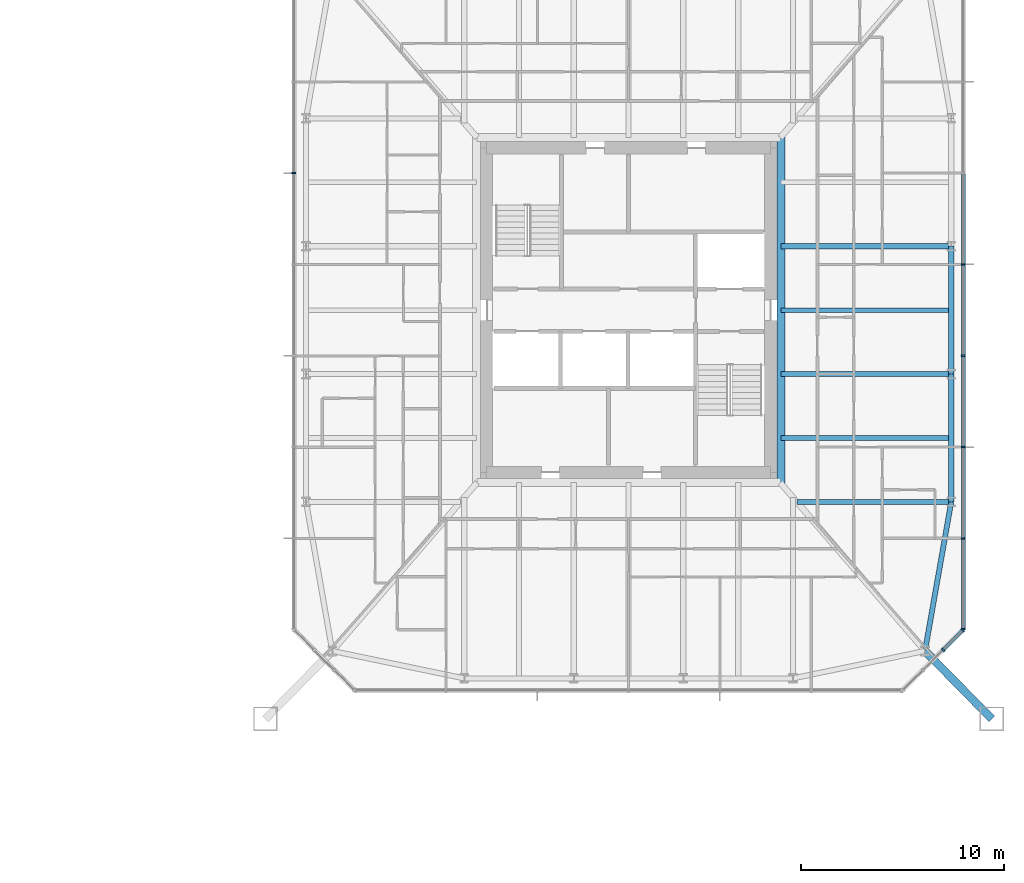
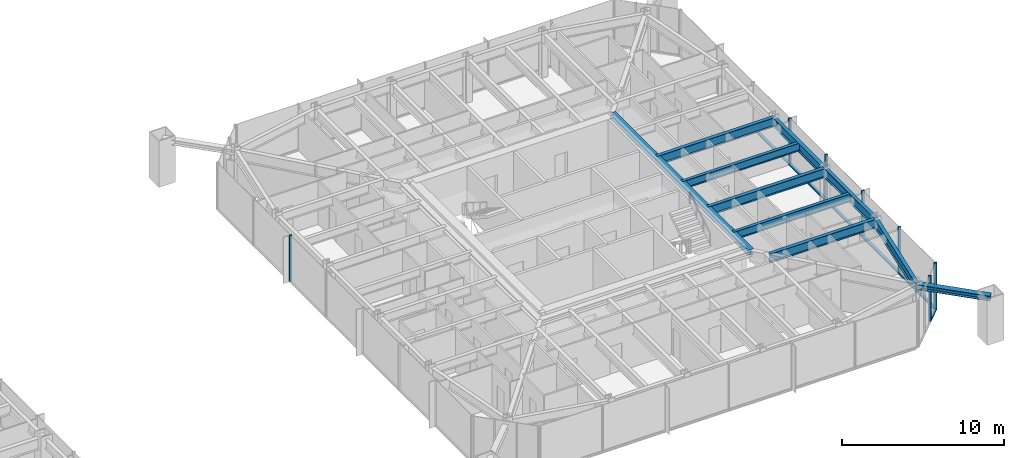
# One storey, part 9 of 26: 15 members, 9 beams, 3 elements without a shape of their own.
"""IFC4 building model written with IfcOpenShell, lengths in metres."""

import ifcopenshell
import ifcopenshell.guid

model = None  # the IFC model being written
_history = None  # IfcOwnerHistory: only IFC2X3 demands one
_inside = {}  # id of a spatial element -> (the spatial element, [elements in it])
_under = {}  # id of a project, library or spatial element -> (it, [spatial elements below it])
_declared = {}  # id of a project -> (the project, [libraries it declares])
_typed = {}  # id of a type object -> (the type object, [elements of that type])
_made_of = {}  # id of a material, layer set ... -> (it, [elements and type objects made of it])


def new_model(schema):
    """Start an empty IFC model of exactly this schema.

    Asked for "IFC4X3", IfcOpenShell would pick the latest addendum, in which some entities
    have other attributes; the version numbers below select the first issue.
    IFC2X3 requires an IfcOwnerHistory on every rooted entity: one is made here for all.
    """
    global model, _history
    if schema == "IFC4X3":
        model = ifcopenshell.file(schema_version=(4, 3, 0, 0))
    else:
        model = ifcopenshell.file(schema=schema)
    _inside.clear()
    _under.clear()
    _declared.clear()
    _typed.clear()
    _made_of.clear()
    _history = None
    if model.schema == "IFC2X3":
        org = make("IfcOrganization", Name="unknown")
        user = make(
            "IfcPersonAndOrganization",
            ThePerson=make("IfcPerson", FamilyName="unknown"),
            TheOrganization=org,
        )
        app = make(
            "IfcApplication",
            ApplicationDeveloper=org,
            Version="unknown",
            ApplicationFullName="unknown",
            ApplicationIdentifier="unknown",
        )
        _history = make(
            "IfcOwnerHistory",
            OwningUser=user,
            OwningApplication=app,
            ChangeAction="ADDED",
            CreationDate=0,
        )
    return model


def make(cls, **values):
    """One entity of the class cls with the attributes given. An attribute that is None is left unset."""
    return model.create_entity(
        cls, **{name: value for name, value in values.items() if value is not None}
    )


def rooted(cls, **values):
    """An entity with a GlobalId (a new one), such as an element, a storey or a relation."""
    return make(cls, GlobalId=ifcopenshell.guid.new(), OwnerHistory=_history, **values)


def si_unit(unit_type, name, prefix=None):
    """IfcSIUnit, for example si_unit("LENGTHUNIT", "METRE", prefix="MILLI")."""
    return make("IfcSIUnit", UnitType=unit_type, Prefix=prefix, Name=name)


def assignment(units):
    """IfcUnitAssignment: the units of a project."""
    return None if units is None else make("IfcUnitAssignment", Units=units)


def point(xyz):
    """IfcCartesianPoint."""
    return None if xyz is None else make("IfcCartesianPoint", Coordinates=xyz)


def direction(xyz):
    """IfcDirection."""
    return None if xyz is None else make("IfcDirection", DirectionRatios=xyz)


def frame(location, z_axis=None, x_axis=None):
    """IfcAxis2Placement3D, a coordinate frame: its origin and axes. An axis left out is left unset."""
    return make(
        "IfcAxis2Placement3D",
        Location=point(location),
        Axis=direction(z_axis),
        RefDirection=direction(x_axis),
    )


def frame_2d(location, x_axis=None):
    """IfcAxis2Placement2D, a coordinate frame in the plane: its origin and x axis."""
    return make(
        "IfcAxis2Placement2D", Location=point(location), RefDirection=direction(x_axis)
    )


def origin():
    """The frame at (0, 0, 0) with its axes left unset."""
    return frame((0.0, 0.0, 0.0))


def origin_2d():
    """The frame at (0, 0) in the plane with its x axis left unset."""
    return frame_2d((0.0, 0.0))


def place(relative_to, where):
    """IfcLocalPlacement: puts the frame where relative to a parent placement (None: the world)."""
    return make(
        "IfcLocalPlacement", PlacementRelTo=relative_to, RelativePlacement=where
    )


def context(
    kind, dimensions, precision=None, world=None, true_north=None, identifier=None
):
    """IfcGeometricRepresentationContext, for example the 3D "Model" context."""
    return make(
        "IfcGeometricRepresentationContext",
        ContextIdentifier=identifier,
        ContextType=kind,
        CoordinateSpaceDimension=dimensions,
        Precision=precision,
        WorldCoordinateSystem=world,
        TrueNorth=true_north,
    )


def subcontext(parent, identifier, kind, view, scale=None):
    """IfcGeometricRepresentationSubContext, for example "Body" below "Model"."""
    return make(
        "IfcGeometricRepresentationSubContext",
        ContextIdentifier=identifier,
        ContextType=kind,
        ParentContext=parent,
        TargetScale=scale,
        TargetView=view,
    )


def project(units=None, contexts=None):
    """IfcProject with its units and contexts."""
    return rooted(
        "IfcProject",
        Name="project",
        RepresentationContexts=contexts,
        UnitsInContext=assignment(units),
    )


def spatial(cls, under=None, at=None, **own):
    """A site, building, storey or space (cls), placed at a placement, below another one or the project."""
    s = rooted(cls, ObjectPlacement=at, **own)
    if under is not None:
        _under.setdefault(under.id(), (under, []))[1].append(s)
    return s


def profile(cls, at=None, kind="AREA", **sizes):
    """A parametric profile (cls). Its sizes go by their IFC names, for example OverallWidth=200.0."""
    return make(cls, ProfileType=kind, Position=at, **sizes)


def rectangle(**sizes):
    """IfcRectangleProfileDef."""
    return profile("IfcRectangleProfileDef", **sizes)


def i_section(**sizes):
    """IfcIShapeProfileDef."""
    return profile("IfcIShapeProfileDef", **sizes)


def extrude(swept, where, along, depth):
    """IfcExtrudedAreaSolid: the profile swept, set in the frame where, extruded along a direction by depth."""
    return make(
        "IfcExtrudedAreaSolid",
        SweptArea=swept,
        Position=where,
        ExtrudedDirection=direction(along),
        Depth=depth,
    )


def shape(context_of_items, identifier, shape_type, items):
    """IfcShapeRepresentation: the items that make up one representation, for example the "Body"."""
    return make(
        "IfcShapeRepresentation",
        ContextOfItems=context_of_items,
        RepresentationIdentifier=identifier,
        RepresentationType=shape_type,
        Items=items,
    )


def material(Name=None, Category=None):
    """IfcMaterial."""
    return make("IfcMaterial", Name=Name, Category=Category)


def material_profile(
    of_material, cross_section, Name=None, Category=None, Priority=None
):
    """IfcMaterialProfile: a cross section and its material."""
    return make(
        "IfcMaterialProfile",
        Name=Name,
        Material=of_material,
        Profile=cross_section,
        Priority=Priority,
        Category=Category,
    )


def profile_set(profiles, Name=None, composite=None):
    """IfcMaterialProfileSet."""
    return make(
        "IfcMaterialProfileSet",
        Name=Name,
        MaterialProfiles=profiles,
        CompositeProfile=composite,
    )


def made_of(thing, what):
    """Note that an element or type object is made of a material, layer set ...; save() writes the relation."""
    if what is not None:
        _made_of.setdefault(what.id(), (what, []))[1].append(thing)
    return thing


def type_object(cls, material=None, **own):
    """A type object (cls), such as IfcWallType, which elements share."""
    return made_of(rooted(cls, **own), material)


def element(
    cls,
    number,
    at=None,
    inside=None,
    cuts=None,
    type_object=None,
    material=None,
    context=None,
    identifier="Body",
    shape_type=None,
    held_by="IfcProductDefinitionShape",
    body=None,
    shapes=None,
    **own,
):
    """One element of the class cls, such as IfcWall. Its Tag is "e" and its number.

    at: its placement. inside: the storey or other place that contains it. cuts: it is an
    opening in that element (IfcRelVoidsElement). A single representation is given by context,
    identifier, shape_type and body (its items); several are given by shapes. held_by: the class
    of the entity that holds the representations. save() writes the other relations.
    """
    e = rooted(cls, Tag="e%d" % number, ObjectPlacement=at, **own)
    if body is not None:
        shapes = [shape(context, identifier, shape_type, body)]
    if shapes is not None:
        e.Representation = make(held_by, Representations=shapes)
    if inside is not None:
        _inside.setdefault(inside.id(), (inside, []))[1].append(e)
    if cuts is not None:
        rooted(
            "IfcRelVoidsElement", RelatingBuildingElement=cuts, RelatedOpeningElement=e
        )
    if type_object is not None:
        _typed.setdefault(type_object.id(), (type_object, []))[1].append(e)
    return made_of(e, material)


def aggregate(whole, parts):
    """IfcRelAggregates: a whole, such as a stair, and the parts it consists of."""
    return rooted("IfcRelAggregates", RelatingObject=whole, RelatedObjects=parts)


def save(model, path):
    """Write the relations noted so far, then the file.

    IfcRelAggregates (storeys below a building ...), IfcRelContainedInSpatialStructure (elements
    in a storey), IfcRelDefinesByType, IfcRelAssociatesMaterial and IfcRelDeclares: one each for
    every whole, place, type object, material and project.
    """
    for whole, parts in _under.values():
        aggregate(whole, parts)
    for where, things in _inside.values():
        rooted(
            "IfcRelContainedInSpatialStructure",
            RelatedElements=things,
            RelatingStructure=where,
        )
    for kind, things in _typed.values():
        rooted("IfcRelDefinesByType", RelatedObjects=things, RelatingType=kind)
    for what, things in _made_of.values():
        rooted("IfcRelAssociatesMaterial", RelatedObjects=things, RelatingMaterial=what)
    for by, libraries in _declared.values():
        rooted("IfcRelDeclares", RelatingContext=by, RelatedDefinitions=libraries)
    model.write(path)


model = new_model("IFC4")

# Units and contexts
model_context = context("Model", 3, precision=1e-05, world=origin(), true_north=direction((0.0, 1.0)))
body_context = subcontext(model_context, "Body", "Model", "MODEL_VIEW")
ifc_project = project(units=[si_unit("LENGTHUNIT", "METRE"), si_unit("AREAUNIT", "SQUARE_METRE"), si_unit("VOLUMEUNIT", "CUBIC_METRE"), si_unit("PLANEANGLEUNIT", "RADIAN"), si_unit("MASSUNIT", "GRAM", prefix="KILO")], contexts=[model_context])

# Site, building, storey
site_placement = place(None, origin())
site = spatial("IfcSite", under=ifc_project, at=site_placement, CompositionType="ELEMENT")
building_placement = place(site_placement, origin())
building = spatial("IfcBuilding", under=site, at=building_placement, Name="Iwan Alto Co-Living Towers", CompositionType="ELEMENT")
storey_placement = place(building_placement, frame((0.0, 0.0, 50.0)))
storey = spatial("IfcBuildingStorey", under=building, at=storey_placement, Name="L13", CompositionType="ELEMENT", Elevation=50.0)

# Curtain wall, members
ifc_material_1 = material(Name="Bronze aluminium unitised frame", Category="aluminium")
curtain_wall_type_1 = type_object("IfcCurtainWallType", Name="CURTAIN WALL CW-C", PredefinedType="NOTDEFINED", material=ifc_material_1)
curtain_wall_1_placement = place(storey_placement, origin())
curtain_wall_1 = element("IfcCurtainWall", 1, at=curtain_wall_1_placement, inside=storey, type_object=curtain_wall_type_1, Name="T2 curtain wall E L13", PredefinedType="NOTDEFINED")
ifc_material_2 = material(Name="Aluminium 6063-T6 bronze anodised", Category="aluminium")
ifc_material_profile_1 = material_profile(ifc_material_2, rectangle(XDim=0.199951171875, YDim=0.080078125, at=origin_2d()), Name="AL 80X200")
ifc_profile_set_1 = profile_set([ifc_material_profile_1], Name="Aluminium 6063-T6 bronze anodised")
member_type_1 = type_object("IfcMemberType", Name="CW-C MULLION 80X200", PredefinedType="MULLION", material=ifc_profile_set_1)
member_1_placement = place(storey_placement, frame((79.5, -15.7099609375, 0.0), z_axis=(0.0, 0.0, 1.0), x_axis=(-1.0, 0.0, 0.0)))
member_1 = element("IfcMember", 2, at=member_1_placement, type_object=member_type_1, Name="CW-C mullion 1", PredefinedType="MULLION", context=body_context, shape_type="SweptSolid", body=[
    extrude(rectangle(XDim=0.199951171875, YDim=0.080078125, at=origin_2d()), origin(), (0.0, 0.0, 1.0), 3.5),
])
member_2_placement = place(storey_placement, frame((79.5, -11.25, 0.0), z_axis=(0.0, 0.0, 1.0), x_axis=(-1.0, 0.0, 0.0)))
member_2 = element("IfcMember", 3, at=member_2_placement, type_object=member_type_1, Name="CW-C mullion 2", PredefinedType="MULLION", context=body_context, shape_type="SweptSolid", body=[
    extrude(rectangle(XDim=0.199951171875, YDim=0.080078125, at=origin_2d()), origin(), (0.0, 0.0, 1.0), 3.5),
])
member_3_placement = place(storey_placement, frame((79.5, -6.75, 0.0), z_axis=(0.0, 0.0, 1.0), x_axis=(-1.0, 0.0, 0.0)))
member_3 = element("IfcMember", 4, at=member_3_placement, type_object=member_type_1, Name="CW-C mullion 3", PredefinedType="MULLION", context=body_context, shape_type="SweptSolid", body=[
    extrude(rectangle(XDim=0.199951171875, YDim=0.080078125, at=origin_2d()), origin(), (0.0, 0.0, 1.0), 3.5),
])
member_4_placement = place(storey_placement, frame((79.5, -2.25, 0.0), z_axis=(0.0, 0.0, 1.0), x_axis=(-1.0, 0.0, 0.0)))
member_4 = element("IfcMember", 5, at=member_4_placement, type_object=member_type_1, Name="CW-C mullion 4", PredefinedType="MULLION", context=body_context, shape_type="SweptSolid", body=[
    extrude(rectangle(XDim=0.199951171875, YDim=0.080078125, at=origin_2d()), origin(), (0.0, 0.0, 1.0), 3.5),
])
member_5_placement = place(storey_placement, frame((79.5, 2.25, 0.0), z_axis=(0.0, 0.0, 1.0), x_axis=(-1.0, 0.0, 0.0)))
member_5 = element("IfcMember", 6, at=member_5_placement, type_object=member_type_1, Name="CW-C mullion 5", PredefinedType="MULLION", context=body_context, shape_type="SweptSolid", body=[
    extrude(rectangle(XDim=0.199951171875, YDim=0.080078125, at=origin_2d()), origin(), (0.0, 0.0, 1.0), 3.5),
])

# Curtain wall, member
curtain_wall_2_placement = place(storey_placement, origin())
curtain_wall_2 = element("IfcCurtainWall", 7, at=curtain_wall_2_placement, inside=storey, type_object=curtain_wall_type_1, Name="T2 curtain wall W L13", PredefinedType="NOTDEFINED")
member_6_placement = place(storey_placement, frame((46.5, 6.75, 0.0), z_axis=(0.0, 0.0, 1.0), x_axis=(1.0, 0.0, 0.0)))
member_6 = element("IfcMember", 8, at=member_6_placement, type_object=member_type_1, Name="CW-C mullion 3", PredefinedType="MULLION", context=body_context, shape_type="SweptSolid", body=[
    extrude(rectangle(XDim=0.199951171875, YDim=0.080078125, at=origin_2d()), origin(), (0.0, 0.0, 1.0), 3.5),
])
aggregate(curtain_wall_2, [member_6])

# Member
ifc_material_3 = material(Name="Aluminium 6063-T6 bronze anodised", Category="aluminium")
ifc_material_profile_2 = material_profile(ifc_material_3, rectangle(XDim=0.199951171875, YDim=0.10009765625, at=origin_2d()), Name="AL 200X100")
ifc_profile_set_2 = profile_set([ifc_material_profile_2], Name="Aluminium 6063-T6 bronze anodised")
member_type_2 = type_object("IfcMemberType", Name="CW-C TRANSOM 200X100", PredefinedType="USERDEFINED", material=ifc_profile_set_2)
member_7_placement = place(storey_placement, frame((79.5, -15.669921875, 0.050048828125), z_axis=(0.0, 1.0, 0.0), x_axis=(-1.0, 0.0, 0.0)))
member_7 = element("IfcMember", 9, at=member_7_placement, type_object=member_type_2, Name="CW-C transom 1.1", ObjectType="TRANSOM", PredefinedType="USERDEFINED", context=body_context, shape_type="SweptSolid", body=[
    extrude(rectangle(XDim=0.199951171875, YDim=0.10009765625, at=origin_2d()), origin(), (0.0, 0.0, 1.0), 4.3798828125),
])

member_8_placement = place(storey_placement, frame((79.5, -11.2099609375, 0.050048828125), z_axis=(0.0, 1.0, 0.0), x_axis=(-1.0, 0.0, 0.0)))
member_8 = element("IfcMember", 10, at=member_8_placement, type_object=member_type_2, Name="CW-C transom 2.1", ObjectType="TRANSOM", PredefinedType="USERDEFINED", context=body_context, shape_type="SweptSolid", body=[
    extrude(rectangle(XDim=0.199951171875, YDim=0.10009765625, at=origin_2d()), origin(), (0.0, 0.0, 1.0), 4.419921875),
])

member_9_placement = place(storey_placement, frame((79.5, -6.7099609375, 0.050048828125), z_axis=(0.0, 1.0, 0.0), x_axis=(-1.0, 0.0, 0.0)))
member_9 = element("IfcMember", 11, at=member_9_placement, type_object=member_type_2, Name="CW-C transom 3.1", ObjectType="TRANSOM", PredefinedType="USERDEFINED", context=body_context, shape_type="SweptSolid", body=[
    extrude(rectangle(XDim=0.199951171875, YDim=0.10009765625, at=origin_2d()), origin(), (0.0, 0.0, 1.0), 4.419921875),
])

member_10_placement = place(storey_placement, frame((79.5, -2.2099609375, 0.050048828125), z_axis=(0.0, 1.0, 0.0), x_axis=(-1.0, 0.0, 0.0)))
member_10 = element("IfcMember", 12, at=member_10_placement, type_object=member_type_2, Name="CW-C transom 4.1", ObjectType="TRANSOM", PredefinedType="USERDEFINED", context=body_context, shape_type="SweptSolid", body=[
    extrude(rectangle(XDim=0.199951171875, YDim=0.10009765625, at=origin_2d()), origin(), (0.0, 0.0, 1.0), 4.419921875),
])

member_11_placement = place(storey_placement, frame((79.5, 2.2900390625, 0.050048828125), z_axis=(0.0, 1.0, 0.0), x_axis=(-1.0, 0.0, 0.0)))
member_11 = element("IfcMember", 13, at=member_11_placement, type_object=member_type_2, Name="CW-C transom 5.1", ObjectType="TRANSOM", PredefinedType="USERDEFINED", context=body_context, shape_type="SweptSolid", body=[
    extrude(rectangle(XDim=0.199951171875, YDim=0.10009765625, at=origin_2d()), origin(), (0.0, 0.0, 1.0), 4.419921875),
])

aggregate(curtain_wall_1, [member_1, member_2, member_3, member_4, member_5, member_7, member_8, member_9, member_10, member_11])

# Curtain wall, members
ifc_material_4 = material(Name="Bronze aluminium unitised frame", Category="aluminium")
curtain_wall_type_2 = type_object("IfcCurtainWallType", Name="CURTAIN WALL CW-D", PredefinedType="NOTDEFINED", material=ifc_material_4)
curtain_wall_3_placement = place(storey_placement, origin())
curtain_wall_3 = element("IfcCurtainWall", 14, at=curtain_wall_3_placement, inside=storey, type_object=curtain_wall_type_2, Name="T2 chamfer curtain wall SE L13", PredefinedType="NOTDEFINED")
ifc_material_5 = material(Name="Aluminium 6063-T6 bronze anodised", Category="aluminium")
ifc_material_profile_3 = material_profile(ifc_material_5, rectangle(XDim=0.199951171875, YDim=0.080078125, at=origin_2d()), Name="AL 80X200")
ifc_profile_set_3 = profile_set([ifc_material_profile_3], Name="Aluminium 6063-T6 bronze anodised")
member_type_3 = type_object("IfcMemberType", Name="CW-D MULLION 80X200", PredefinedType="MULLION", material=ifc_profile_set_3)
member_12_placement = place(storey_placement, frame((78.5, -16.75, 0.0), z_axis=(0.0, 0.0, 1.0), x_axis=(-0.707106781187, 0.707106781187, 0.0)))
member_12 = element("IfcMember", 15, at=member_12_placement, type_object=member_type_3, Name="CW-D mullion 3", PredefinedType="MULLION", context=body_context, shape_type="SweptSolid", body=[
    extrude(rectangle(XDim=0.199951171875, YDim=0.080078125, at=origin_2d()), origin(), (0.0, 0.0, 1.0), 3.5),
])
member_13_placement = place(storey_placement, frame((79.4716796875, -15.7783203125, 0.0), z_axis=(0.0, 0.0, 1.0), x_axis=(-0.707106781187, 0.707106781187, 0.0)))
member_13 = element("IfcMember", 16, at=member_13_placement, type_object=member_type_3, Name="CW-D mullion 4", PredefinedType="MULLION", context=body_context, shape_type="SweptSolid", body=[
    extrude(rectangle(XDim=0.199951171875, YDim=0.080078125, at=origin_2d()), origin(), (0.0, 0.0, 1.0), 3.5),
])
ifc_material_6 = material(Name="Aluminium 6063-T6 bronze anodised", Category="aluminium")
ifc_material_profile_4 = material_profile(ifc_material_6, rectangle(XDim=0.199951171875, YDim=0.10009765625, at=origin_2d()), Name="AL 200X100")
ifc_profile_set_4 = profile_set([ifc_material_profile_4], Name="Aluminium 6063-T6 bronze anodised")
member_type_4 = type_object("IfcMemberType", Name="CW-D TRANSOM 200X100", PredefinedType="USERDEFINED", material=ifc_profile_set_4)
member_14_placement = place(storey_placement, frame((78.5283203125, -16.7216796875, 0.050048828125), z_axis=(0.707106781187, 0.707106781187, 0.0), x_axis=(-0.707106781187, 0.707106781187, 0.0)))
member_14 = element("IfcMember", 17, at=member_14_placement, type_object=member_type_4, Name="CW-D transom 3.1", ObjectType="TRANSOM", PredefinedType="USERDEFINED", context=body_context, shape_type="SweptSolid", body=[
    extrude(rectangle(XDim=0.199951171875, YDim=0.10009765625, at=origin_2d()), origin(), (0.0, 0.0, 1.0), 1.2939453125),
])
aggregate(curtain_wall_3, [member_12, member_13, member_14])

# Beams
ifc_material_7 = material(Name="Steel ASTM A992 Gr 50", Category="steel")
ifc_material_profile_5 = material_profile(ifc_material_7, i_section(OverallWidth=0.40380859375, OverallDepth=0.406494140625, WebThickness=0.027099609375, FlangeThickness=0.043701171875, at=origin_2d()), Name="W14X233")
ifc_profile_set_5 = profile_set([ifc_material_profile_5], Name="Steel ASTM A992 Gr 50")
beam_type_1 = type_object("IfcBeamType", Name="T2 CORE LEDGER BEAM W14X233", PredefinedType="BEAM", material=ifc_profile_set_5)
beam_1_placement = place(storey_placement, frame((70.501953125, -8.534912109375, 3.06689453125), z_axis=(0.0, 1.0, 0.0), x_axis=(-1.0, 0.0, 0.0)))
element("IfcBeam", 18, at=beam_1_placement, inside=storey, type_object=beam_type_1, Name="T2 core ledger beam E L14", PredefinedType="BEAM", context=body_context, shape_type="SweptSolid", body=[
    extrude(i_section(OverallWidth=0.40380859375, OverallDepth=0.406494140625, WebThickness=0.027099609375, FlangeThickness=0.043701171875, at=origin_2d()), origin(), (0.0, 0.0, 1.0), 17.06982421875),
])
ifc_material_8 = material(Name="Steel ASTM A992 Gr 50", Category="steel")
ifc_material_profile_6 = material_profile(ifc_material_8, i_section(OverallWidth=0.25390625, OverallDepth=0.683349609375, WebThickness=0.012451171875, FlangeThickness=0.018798828125, at=origin_2d()), Name="W27X94")
ifc_profile_set_6 = profile_set([ifc_material_profile_6], Name="Steel ASTM A992 Gr 50")
beam_type_2 = type_object("IfcBeamType", Name="T2 EDGE BEAM W27X94", PredefinedType="BEAM", material=ifc_profile_set_6)
beam_2_placement = place(storey_placement, frame((77.606201171875, -16.797119140625, 2.928466796875), z_axis=(0.173413807283, 0.98484905008, 0.0), x_axis=(-0.98484905008, 0.173413807283, 0.0)))
element("IfcBeam", 19, at=beam_2_placement, inside=storey, type_object=beam_type_2, Name="T2 edge beam CSE L14", PredefinedType="BEAM", context=body_context, shape_type="SweptSolid", body=[
    extrude(i_section(OverallWidth=0.25390625, OverallDepth=0.683349609375, WebThickness=0.012451171875, FlangeThickness=0.018798828125, at=origin_2d()), origin(), (0.0, 0.0, 1.0), 7.460205078125),
])
beam_3_placement = place(storey_placement, frame((78.89990234375, -9.449951171875, 2.928466796875), z_axis=(0.0, 1.0, 0.0), x_axis=(-1.0, 0.0, 0.0)))
element("IfcBeam", 20, at=beam_3_placement, inside=storey, type_object=beam_type_2, Name="T2 edge beam E1 L14", PredefinedType="BEAM", context=body_context, shape_type="SweptSolid", body=[
    extrude(i_section(OverallWidth=0.25390625, OverallDepth=0.683349609375, WebThickness=0.012451171875, FlangeThickness=0.018798828125, at=origin_2d()), origin(), (0.0, 0.0, 1.0), 6.300048828125),
])
beam_4_placement = place(storey_placement, frame((78.89990234375, -3.14990234375, 2.928466796875), z_axis=(0.0, 1.0, 0.0), x_axis=(-1.0, 0.0, 0.0)))
element("IfcBeam", 21, at=beam_4_placement, inside=storey, type_object=beam_type_2, Name="T2 edge beam E2 L14", PredefinedType="BEAM", context=body_context, shape_type="SweptSolid", body=[
    extrude(i_section(OverallWidth=0.25390625, OverallDepth=0.683349609375, WebThickness=0.012451171875, FlangeThickness=0.018798828125, at=origin_2d()), origin(), (0.0, 0.0, 1.0), 6.2998046875),
])

# Member
ifc_material_9 = material(Name="Steel ASTM A992 Gr 50", Category="steel")
ifc_material_profile_7 = material_profile(ifc_material_9, i_section(OverallWidth=0.393798828125, OverallDepth=0.3759765625, WebThickness=0.017333984375, FlangeThickness=0.027587890625, at=origin_2d()), Name="W14X145")
ifc_profile_set_7 = profile_set([ifc_material_profile_7], Name="Steel ASTM A992 Gr 50")
member_type_5 = type_object("IfcMemberType", Name="T2 MEGA COLUMN FLOOR TIE W14X145", PredefinedType="STRUT", material=ifc_profile_set_7)
member_15_placement = place(storey_placement, frame((80.89990234375, -20.14990234375, 3.08203125), z_axis=(-0.700793469544, 0.71336422187, 0.0), x_axis=(-0.71336422187, -0.700793469544, 0.0)))
element("IfcMember", 22, at=member_15_placement, inside=storey, type_object=member_type_5, Name="T2 mega column floor tie SE L14", PredefinedType="STRUT", context=body_context, shape_type="SweptSolid", body=[
    extrude(i_section(OverallWidth=0.393798828125, OverallDepth=0.3759765625, WebThickness=0.017333984375, FlangeThickness=0.027587890625, at=origin_2d()), origin(), (0.0, 0.0, 1.0), 4.699951171875),
])

# Beams
ifc_material_10 = material(Name="Steel ASTM A992 Gr 50", Category="steel")
ifc_material_profile_8 = material_profile(ifc_material_10, i_section(OverallWidth=0.25390625, OverallDepth=0.683349609375, WebThickness=0.012451171875, FlangeThickness=0.018798828125, at=origin_2d()), Name="W27X94")
ifc_profile_set_8 = profile_set([ifc_material_profile_8], Name="Steel ASTM A992 Gr 50")
beam_type_3 = type_object("IfcBeamType", Name="T2 RADIAL BEAM W27X94", PredefinedType="BEAM", material=ifc_profile_set_8)
beam_5_placement = place(storey_placement, frame((78.89990234375, -9.449951171875, 2.928466796875), z_axis=(-1.0, 0.0, 0.0), x_axis=(0.0, -1.0, 0.0)))
element("IfcBeam", 23, at=beam_5_placement, inside=storey, type_object=beam_type_3, Name="T2 radial beam E1 L14", PredefinedType="BEAM", context=body_context, shape_type="SweptSolid", body=[
    extrude(i_section(OverallWidth=0.25390625, OverallDepth=0.683349609375, WebThickness=0.012451171875, FlangeThickness=0.018798828125, at=origin_2d()), origin(), (0.0, 0.0, 1.0), 7.611083984375),
])
for number, where, z_axis, x_axis, name in (
    (24, (78.89990234375, -3.14990234375, 2.928466796875), (-1.0, 0.0, 0.0), (0.0, -1.0, 0.0), "T2 radial beam E2 L14"),
    (25, (78.89990234375, 3.14990234375, 2.928466796875), (-1.0, 0.0, 0.0), (0.0, -1.0, 0.0), "T2 radial beam E3 L14"),
):
    element("IfcBeam", number, at=place(storey_placement, frame(where, z_axis=z_axis, x_axis=x_axis)), inside=storey, type_object=beam_type_3, Name=name, PredefinedType="BEAM", context=body_context, shape_type="SweptSolid", body=[
        extrude(i_section(OverallWidth=0.25390625, OverallDepth=0.683349609375, WebThickness=0.012451171875, FlangeThickness=0.018798828125, at=origin_2d()), origin(), (0.0, 0.0, 1.0), 8.39794921875),
    ])
ifc_material_11 = material(Name="Steel ASTM A992 Gr 50", Category="steel")
ifc_material_profile_9 = material_profile(ifc_material_11, i_section(OverallWidth=0.228271484375, OverallDepth=0.607177734375, WebThickness=0.01123046875, FlangeThickness=0.017333984375, at=origin_2d()), Name="W24X76")
ifc_profile_set_9 = profile_set([ifc_material_profile_9], Name="Steel ASTM A992 Gr 50")
beam_type_4 = type_object("IfcBeamType", Name="T2 SECONDARY BEAM W24X76", PredefinedType="JOIST", material=ifc_profile_set_9)
for number, where, z_axis, x_axis, name in (
    (26, (78.89990234375, -6.300048828125, 2.966552734375), (-1.0, 0.0, 0.0), (0.0, -1.0, 0.0), "T2 secondary beam E1 L14"),
    (27, (78.89990234375, 0.0, 2.966552734375), (-1.0, 0.0, 0.0), (0.0, -1.0, 0.0), "T2 secondary beam E2 L14"),
):
    element("IfcBeam", number, at=place(storey_placement, frame(where, z_axis=z_axis, x_axis=x_axis)), inside=storey, type_object=beam_type_4, Name=name, PredefinedType="JOIST", context=body_context, shape_type="SweptSolid", body=[
        extrude(i_section(OverallWidth=0.228271484375, OverallDepth=0.607177734375, WebThickness=0.01123046875, FlangeThickness=0.017333984375, at=origin_2d()), origin(), (0.0, 0.0, 1.0), 8.39794921875),
    ])

save(model, "model.ifc")
